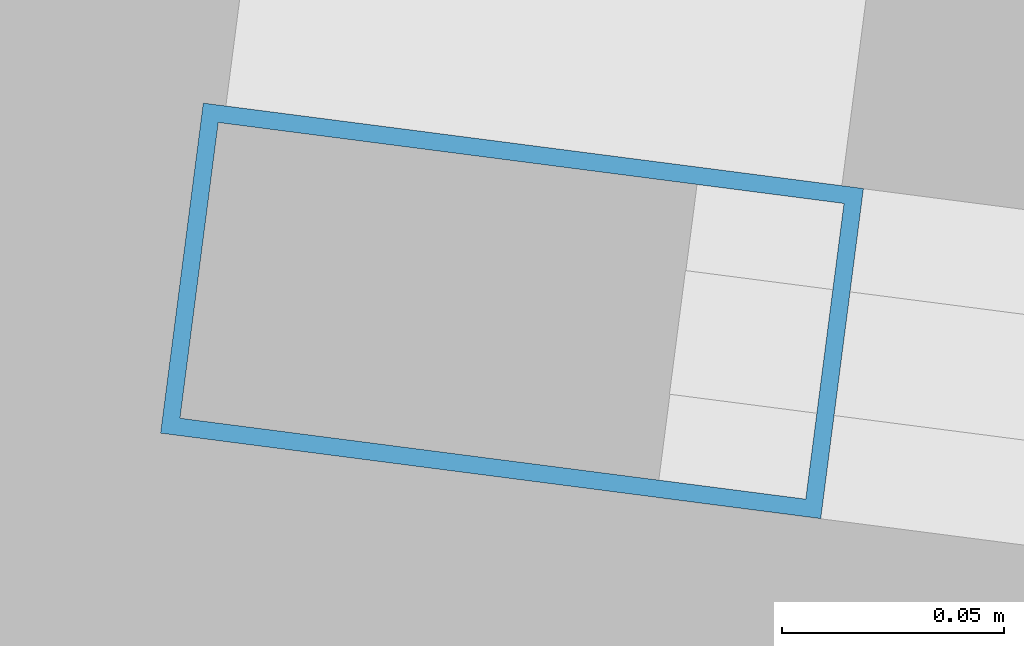
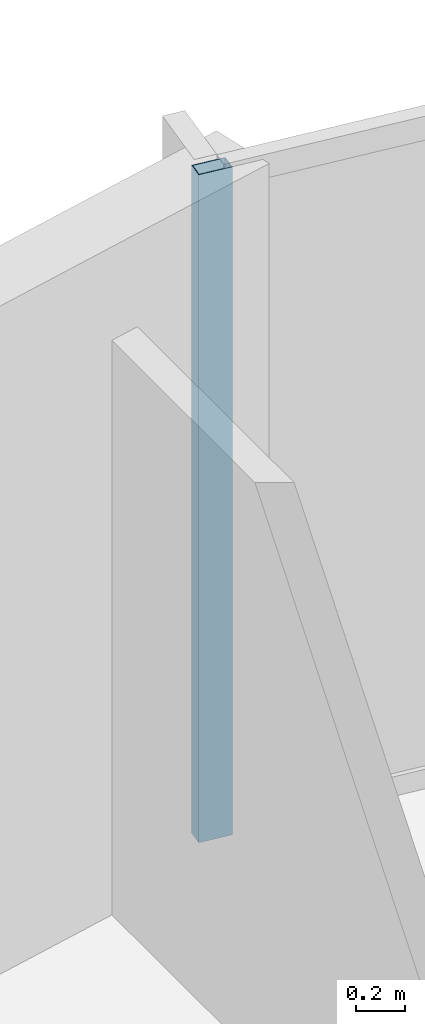
# One storey, part 22 of 33: 1 member, 1 element without a shape of its own.
"""IFC4 building model written with IfcOpenShell, lengths in metres."""

from ifc_helpers import new_model, si_unit, direction, frame, origin, origin_2d, place, context, subcontext, project, spatial, hollow_rectangle, extrude, material, layer, layer_set, material_profile, profile_set, type_object, element, aggregate, save


model = new_model("IFC4")

# Units and contexts
model_context = context("Model", 3, precision=1e-05, world=origin(), true_north=direction((0.0, 1.0)))
body_context = subcontext(model_context, "Body", "Model", "MODEL_VIEW")
ifc_project = project(units=[si_unit("LENGTHUNIT", "METRE"), si_unit("AREAUNIT", "SQUARE_METRE"), si_unit("VOLUMEUNIT", "CUBIC_METRE"), si_unit("PLANEANGLEUNIT", "RADIAN"), si_unit("MASSUNIT", "GRAM", prefix="KILO")], contexts=[model_context])

# Site, building, storey
site_placement = place(None, origin())
site = spatial("IfcSite", under=ifc_project, at=site_placement, CompositionType="ELEMENT")
building_placement = place(site_placement, origin())
building = spatial("IfcBuilding", under=site, at=building_placement, Name="Kazevale Care Tower and Concert Hall", CompositionType="ELEMENT")
storey_placement = place(building_placement, frame((0.0, 0.0, 149.39990234375)))
storey = spatial("IfcBuildingStorey", under=building, at=storey_placement, Name="L39", CompositionType="ELEMENT", Elevation=149.39990234375)

# Curtain wall, member
ifc_material_1 = material(Name="Aluminium 6063-T6 and Low-E Glass", Category="aluminium")
ifc_layer = layer(ifc_material_1, 0.179931640625)
ifc_layer_set = layer_set([ifc_layer], Name="Aluminium 6063-T6 and Low-E Glass")
curtain_wall_type = type_object("IfcCurtainWallType", Name="Convex Recessed Sunroom Curtain Wall CW-3", PredefinedType="NOTDEFINED", material=ifc_layer_set)
curtain_wall_placement = place(storey_placement, origin())
curtain_wall = element("IfcCurtainWall", 1, at=curtain_wall_placement, inside=storey, type_object=curtain_wall_type, Name="cw:L39:f16", PredefinedType="NOTDEFINED")
ifc_material_2 = material(Name="Aluminium 6063-T6", Category="aluminium")
ifc_material_profile = material_profile(ifc_material_2, hollow_rectangle(XDim=0.074951171875, YDim=0.14990234375, WallThickness=0.00390625, at=origin_2d()), Name="ALU75x150x4")
ifc_profile_set = profile_set([ifc_material_profile], Name="Aluminium 6063-T6")
member_type = type_object("IfcMemberType", Name="CW-3 Mullion ALU75x150x4", PredefinedType="MULLION", material=ifc_profile_set)
member_placement = place(storey_placement, frame((45.078125, 64.817138671875, 0.0), z_axis=(0.0, 0.0, 1.0), x_axis=(0.128299815569, 0.99173542708, 0.0)))
member = element("IfcMember", 2, at=member_placement, type_object=member_type, Name="CW-3 mullion 1", PredefinedType="MULLION", context=body_context, shape_type="SweptSolid", body=[
    extrude(hollow_rectangle(XDim=0.074951171875, YDim=0.14990234375, WallThickness=0.00390625, at=origin_2d()), origin(), (0.0, 0.0, 1.0), 3.360107421875),
])
aggregate(curtain_wall, [member])

save(model, "model.ifc")
